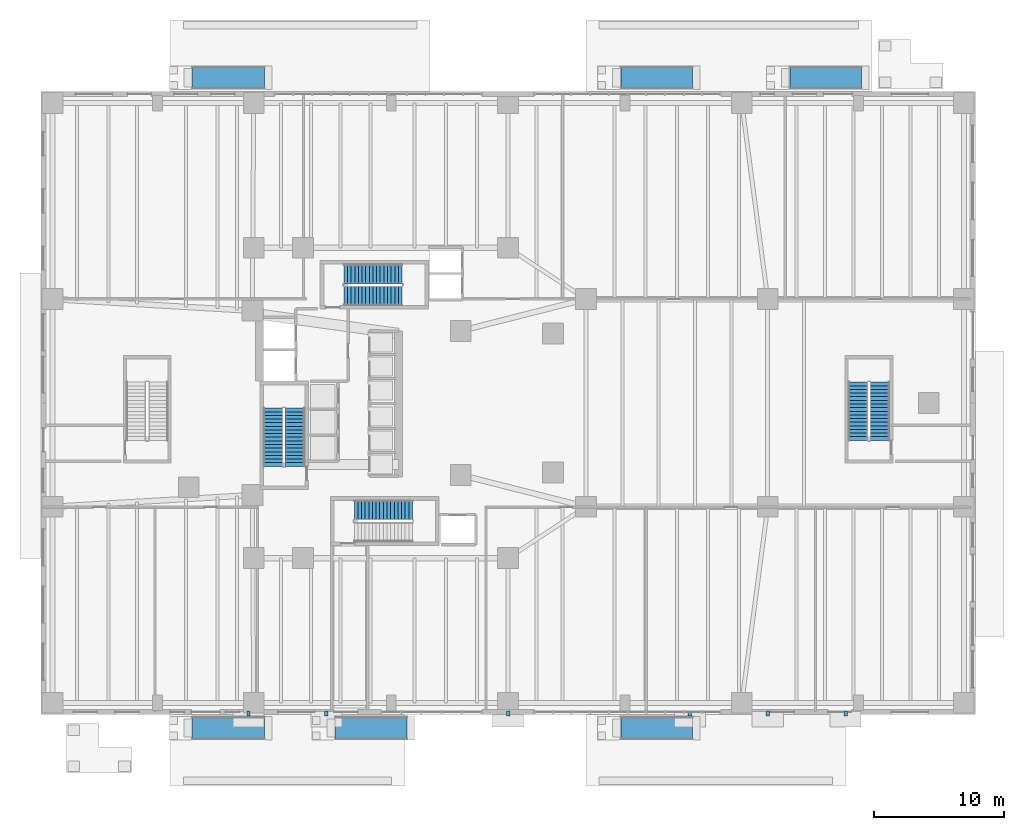
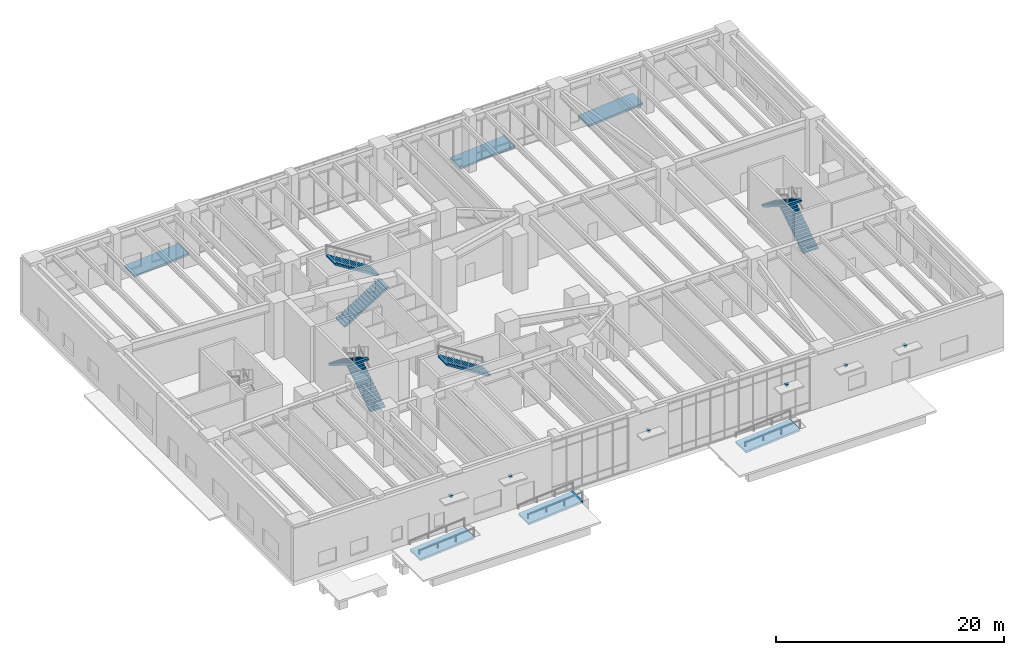
# One storey, part 23 of 28: 7 stair flights, 6 discrete accessories, 6 ramp flights, 10 elements without a shape of their own.
"""IFC4 building model written with IfcOpenShell, lengths in metres."""

from ifc_helpers import new_model, si_unit, direction, frame, origin, origin_2d, place, context, subcontext, project, spatial, polyline, rectangle, outline, extrude, material, layer, layer_set, type_object, element, aggregate, save


model = new_model("IFC4")

# Units and contexts
model_context = context("Model", 3, precision=1e-05, world=origin(), true_north=direction((0.0, 1.0)))
body_context = subcontext(model_context, "Body", "Model", "MODEL_VIEW")
ifc_project = project(units=[si_unit("LENGTHUNIT", "METRE"), si_unit("AREAUNIT", "SQUARE_METRE"), si_unit("VOLUMEUNIT", "CUBIC_METRE"), si_unit("PLANEANGLEUNIT", "RADIAN"), si_unit("MASSUNIT", "GRAM", prefix="KILO"), si_unit("THERMODYNAMICTEMPERATUREUNIT", "KELVIN"), si_unit("POWERUNIT", "WATT")], contexts=[model_context])

# Site, building, storey
site_placement = place(None, origin())
site = spatial("IfcSite", under=ifc_project, at=site_placement, CompositionType="ELEMENT")
building_placement = place(site_placement, origin())
building = spatial("IfcBuilding", under=site, at=building_placement, Name="Skarre Station Tower", CompositionType="ELEMENT")
storey_placement = place(building_placement, origin())
storey = spatial("IfcBuildingStorey", under=building, at=storey_placement, Name="L01", CompositionType="ELEMENT", Elevation=0.0)

# Stair, stair flights
ifc_material_1 = material(Name="Concrete C40/50", Category="concrete")
stair_type_1 = type_object("IfcStairType", Name="Reinforced Concrete Exit Stair ST-1", PredefinedType="HALF_TURN_STAIR", material=ifc_material_1)
stair_1_placement = place(storey_placement, origin())
stair_1 = element("IfcStair", 1, at=stair_1_placement, inside=storey, type_object=stair_type_1, Name="L01 Core Exit Stair ST-1", PredefinedType="HALF_TURN_STAIR")
stair_flight_type_1 = type_object("IfcStairFlightType", Name="Reinforced Concrete Stair Flight ST-1", PredefinedType="STRAIGHT", material=ifc_material_1)
stair_flight_1_placement = place(storey_placement, frame((19.590087890625, 19.1201171875, 0.0), z_axis=(0.0, 0.0, 1.0), x_axis=(0.0, 1.0, 0.0)))
stair_flight_1 = element("IfcStairFlight", 2, at=stair_flight_1_placement, type_object=stair_flight_type_1, Name="ST-1 flight 1", NumberOfRisers=17, NumberOfTreads=16, PredefinedType="STRAIGHT", RiserHeight=0.176470588, TreadLength=0.28, context=body_context, shape_type="SweptSolid", body=[
    extrude(outline(polyline([(0.0, 0.0), (0.0, 0.176513671875), (0.280029296875, 0.176513671875), (0.280029296875, 0.35302734375), (0.56005859375, 0.35302734375), (0.56005859375, 0.529296875), (0.840087890625, 0.529296875), (0.840087890625, 0.705810546875), (1.1201171875, 0.705810546875), (1.1201171875, 0.88232421875), (1.39990234375, 0.88232421875), (1.39990234375, 1.058837890625), (1.679931640625, 1.058837890625), (1.679931640625, 1.2353515625), (1.9599609375, 1.2353515625), (1.9599609375, 1.411865234375), (2.239990234375, 1.411865234375), (2.239990234375, 1.588134765625), (2.52001953125, 1.588134765625), (2.52001953125, 1.7646484375), (2.800048828125, 1.7646484375), (2.800048828125, 1.941162109375), (3.080078125, 1.941162109375), (3.080078125, 2.11767578125), (3.360107421875, 2.11767578125), (3.360107421875, 2.294189453125), (3.639892578125, 2.294189453125), (3.639892578125, 2.470703125), (3.919921875, 2.470703125), (3.919921875, 2.64697265625), (4.199951171875, 2.64697265625), (4.199951171875, 2.823486328125), (4.47998046875, 2.823486328125), (4.47998046875, 3.0), (4.47998046875, 2.646240234375), (0.28125, 0.0), (0.0, 0.0)])), frame((0.0, 0.760009765625, 0.0), z_axis=(0.0, -1.0, 0.0), x_axis=(1.0, 0.0, 0.0)), (0.0, 0.0, 1.0), 1.52001953125),
])
stair_flight_2_placement = place(storey_placement, frame((17.909912109375, 23.60009765625, 3.0), z_axis=(0.0, 0.0, 1.0), x_axis=(0.0, -1.0, 0.0)))
stair_flight_2 = element("IfcStairFlight", 3, at=stair_flight_2_placement, type_object=stair_flight_type_1, Name="ST-1 flight 2", NumberOfRisers=17, NumberOfTreads=16, PredefinedType="STRAIGHT", RiserHeight=0.176470588, TreadLength=0.28, context=body_context, shape_type="SweptSolid", body=[
    extrude(outline(polyline([(0.0, 0.0), (0.0, 0.176513671875), (0.280029296875, 0.176513671875), (0.280029296875, 0.35302734375), (0.56005859375, 0.35302734375), (0.56005859375, 0.529296875), (0.840087890625, 0.529296875), (0.840087890625, 0.705810546875), (1.1201171875, 0.705810546875), (1.1201171875, 0.88232421875), (1.39990234375, 0.88232421875), (1.39990234375, 1.058837890625), (1.679931640625, 1.058837890625), (1.679931640625, 1.2353515625), (1.9599609375, 1.2353515625), (1.9599609375, 1.411865234375), (2.239990234375, 1.411865234375), (2.239990234375, 1.588134765625), (2.52001953125, 1.588134765625), (2.52001953125, 1.7646484375), (2.800048828125, 1.7646484375), (2.800048828125, 1.941162109375), (3.080078125, 1.941162109375), (3.080078125, 2.11767578125), (3.360107421875, 2.11767578125), (3.360107421875, 2.294189453125), (3.639892578125, 2.294189453125), (3.639892578125, 2.470703125), (3.919921875, 2.470703125), (3.919921875, 2.64697265625), (4.199951171875, 2.64697265625), (4.199951171875, 2.823486328125), (4.47998046875, 2.823486328125), (4.47998046875, 3.0), (4.47998046875, 2.646240234375), (0.28125, 0.0), (0.0, 0.0)])), frame((0.0, 0.760009765625, 0.0), z_axis=(0.0, -1.0, 0.0), x_axis=(1.0, 0.0, 0.0)), (0.0, 0.0, 1.0), 1.52001953125),
])
aggregate(stair_1, [stair_flight_1, stair_flight_2])

# Stair, stair flight
stair_type_2 = type_object("IfcStairType", Name="Reinforced Concrete Exit Stair ST-2", PredefinedType="HALF_TURN_STAIR", material=ifc_material_1)
stair_2_placement = place(storey_placement, origin())
stair_2 = element("IfcStair", 4, at=stair_2_placement, inside=storey, type_object=stair_type_2, Name="L01 Core Exit Stair ST-2", PredefinedType="HALF_TURN_STAIR")
stair_flight_type_2 = type_object("IfcStairFlightType", Name="Reinforced Concrete Stair Flight ST-2", PredefinedType="STRAIGHT", material=ifc_material_1)
stair_flight_3_placement = place(storey_placement, frame((28.6298828125, 15.739990234375, 3.0), z_axis=(0.0, 0.0, 1.0), x_axis=(-1.0, 0.0, 0.0)))
stair_flight_3 = element("IfcStairFlight", 5, at=stair_flight_3_placement, type_object=stair_flight_type_2, Name="ST-2 flight 2", NumberOfRisers=17, NumberOfTreads=16, PredefinedType="STRAIGHT", RiserHeight=0.176470588, TreadLength=0.28, context=body_context, shape_type="SweptSolid", body=[
    extrude(outline(polyline([(0.0, 0.0), (0.0, 0.176513671875), (0.280029296875, 0.176513671875), (0.280029296875, 0.35302734375), (0.56005859375, 0.35302734375), (0.56005859375, 0.529296875), (0.840087890625, 0.529296875), (0.840087890625, 0.705810546875), (1.1201171875, 0.705810546875), (1.1201171875, 0.88232421875), (1.39990234375, 0.88232421875), (1.39990234375, 1.058837890625), (1.679931640625, 1.058837890625), (1.679931640625, 1.2353515625), (1.9599609375, 1.2353515625), (1.9599609375, 1.411865234375), (2.239990234375, 1.411865234375), (2.239990234375, 1.588134765625), (2.52001953125, 1.588134765625), (2.52001953125, 1.7646484375), (2.800048828125, 1.7646484375), (2.800048828125, 1.941162109375), (3.080078125, 1.941162109375), (3.080078125, 2.11767578125), (3.360107421875, 2.11767578125), (3.360107421875, 2.294189453125), (3.639892578125, 2.294189453125), (3.639892578125, 2.470703125), (3.919921875, 2.470703125), (3.919921875, 2.64697265625), (4.199951171875, 2.64697265625), (4.199951171875, 2.823486328125), (4.47998046875, 2.823486328125), (4.47998046875, 3.0), (4.47998046875, 2.646240234375), (0.28125, 0.0), (0.0, 0.0)])), frame((0.0, 0.760009765625, 0.0), z_axis=(0.0, -1.0, 0.0), x_axis=(1.0, 0.0, 0.0)), (0.0, 0.0, 1.0), 1.52001953125),
])
aggregate(stair_2, [stair_flight_3])

# Stair, stair flights
stair_type_3 = type_object("IfcStairType", Name="Reinforced Concrete Exit Stair ST-3", PredefinedType="HALF_TURN_STAIR", material=ifc_material_1)
stair_3_placement = place(storey_placement, origin())
stair_3 = element("IfcStair", 6, at=stair_3_placement, inside=storey, type_object=stair_type_3, Name="L01 Core Exit Stair ST-3", PredefinedType="HALF_TURN_STAIR")
stair_flight_type_3 = type_object("IfcStairFlightType", Name="Reinforced Concrete Stair Flight ST-3", PredefinedType="STRAIGHT", material=ifc_material_1)
stair_flight_4_placement = place(storey_placement, frame((23.35009765625, 32.260009765625, 0.0), z_axis=(0.0, 0.0, 1.0), x_axis=(1.0, 0.0, 0.0)))
stair_flight_4 = element("IfcStairFlight", 7, at=stair_flight_4_placement, type_object=stair_flight_type_3, Name="ST-3 flight 1", NumberOfRisers=17, NumberOfTreads=16, PredefinedType="STRAIGHT", RiserHeight=0.176470588, TreadLength=0.28, context=body_context, shape_type="SweptSolid", body=[
    extrude(outline(polyline([(0.0, 0.0), (0.0, 0.176513671875), (0.280029296875, 0.176513671875), (0.280029296875, 0.35302734375), (0.56005859375, 0.35302734375), (0.56005859375, 0.529296875), (0.840087890625, 0.529296875), (0.840087890625, 0.705810546875), (1.1201171875, 0.705810546875), (1.1201171875, 0.88232421875), (1.39990234375, 0.88232421875), (1.39990234375, 1.058837890625), (1.679931640625, 1.058837890625), (1.679931640625, 1.2353515625), (1.9599609375, 1.2353515625), (1.9599609375, 1.411865234375), (2.239990234375, 1.411865234375), (2.239990234375, 1.588134765625), (2.52001953125, 1.588134765625), (2.52001953125, 1.7646484375), (2.800048828125, 1.7646484375), (2.800048828125, 1.941162109375), (3.080078125, 1.941162109375), (3.080078125, 2.11767578125), (3.360107421875, 2.11767578125), (3.360107421875, 2.294189453125), (3.639892578125, 2.294189453125), (3.639892578125, 2.470703125), (3.919921875, 2.470703125), (3.919921875, 2.64697265625), (4.199951171875, 2.64697265625), (4.199951171875, 2.823486328125), (4.47998046875, 2.823486328125), (4.47998046875, 3.0), (4.47998046875, 2.646240234375), (0.28125, 0.0), (0.0, 0.0)])), frame((0.0, 0.760009765625, 0.0), z_axis=(0.0, -1.0, 0.0), x_axis=(1.0, 0.0, 0.0)), (0.0, 0.0, 1.0), 1.52001953125),
])
stair_flight_5_placement = place(storey_placement, frame((27.830078125, 33.93994140625, 3.0), z_axis=(0.0, 0.0, 1.0), x_axis=(-1.0, 0.0, 0.0)))
stair_flight_5 = element("IfcStairFlight", 8, at=stair_flight_5_placement, type_object=stair_flight_type_3, Name="ST-3 flight 2", NumberOfRisers=17, NumberOfTreads=16, PredefinedType="STRAIGHT", RiserHeight=0.176470588, TreadLength=0.28, context=body_context, shape_type="SweptSolid", body=[
    extrude(outline(polyline([(0.0, 0.0), (0.0, 0.176513671875), (0.280029296875, 0.176513671875), (0.280029296875, 0.35302734375), (0.56005859375, 0.35302734375), (0.56005859375, 0.529296875), (0.840087890625, 0.529296875), (0.840087890625, 0.705810546875), (1.1201171875, 0.705810546875), (1.1201171875, 0.88232421875), (1.39990234375, 0.88232421875), (1.39990234375, 1.058837890625), (1.679931640625, 1.058837890625), (1.679931640625, 1.2353515625), (1.9599609375, 1.2353515625), (1.9599609375, 1.411865234375), (2.239990234375, 1.411865234375), (2.239990234375, 1.588134765625), (2.52001953125, 1.588134765625), (2.52001953125, 1.7646484375), (2.800048828125, 1.7646484375), (2.800048828125, 1.941162109375), (3.080078125, 1.941162109375), (3.080078125, 2.11767578125), (3.360107421875, 2.11767578125), (3.360107421875, 2.294189453125), (3.639892578125, 2.294189453125), (3.639892578125, 2.470703125), (3.919921875, 2.470703125), (3.919921875, 2.64697265625), (4.199951171875, 2.64697265625), (4.199951171875, 2.823486328125), (4.47998046875, 2.823486328125), (4.47998046875, 3.0), (4.47998046875, 2.646240234375), (0.28125, 0.0), (0.0, 0.0)])), frame((0.0, 0.760009765625, 0.0), z_axis=(0.0, -1.0, 0.0), x_axis=(1.0, 0.0, 0.0)), (0.0, 0.0, 1.0), 1.52001953125),
])
aggregate(stair_3, [stair_flight_4, stair_flight_5])

stair_type_4 = type_object("IfcStairType", Name="Reinforced Concrete Exit Stair ST-5", PredefinedType="HALF_TURN_STAIR", material=ifc_material_1)
stair_4_placement = place(storey_placement, origin())
stair_4 = element("IfcStair", 9, at=stair_4_placement, inside=storey, type_object=stair_type_4, Name="L01 Podium Concourse Exit Stair ST-5", PredefinedType="HALF_TURN_STAIR")
stair_flight_type_4 = type_object("IfcStairFlightType", Name="Reinforced Concrete Stair Flight ST-5", PredefinedType="STRAIGHT", material=ifc_material_1)
stair_flight_6_placement = place(storey_placement, frame((64.639892578125, 21.1201171875, 0.0), z_axis=(0.0, 0.0, 1.0), x_axis=(0.0, 1.0, 0.0)))
stair_flight_6 = element("IfcStairFlight", 10, at=stair_flight_6_placement, type_object=stair_flight_type_4, Name="ST-5 flight 1", NumberOfRisers=17, NumberOfTreads=16, PredefinedType="STRAIGHT", RiserHeight=0.176470588, TreadLength=0.28, context=body_context, shape_type="SweptSolid", body=[
    extrude(outline(polyline([(0.0, 0.0), (0.0, 0.176513671875), (0.280029296875, 0.176513671875), (0.280029296875, 0.35302734375), (0.56005859375, 0.35302734375), (0.56005859375, 0.529296875), (0.840087890625, 0.529296875), (0.840087890625, 0.705810546875), (1.1201171875, 0.705810546875), (1.1201171875, 0.88232421875), (1.39990234375, 0.88232421875), (1.39990234375, 1.058837890625), (1.679931640625, 1.058837890625), (1.679931640625, 1.2353515625), (1.9599609375, 1.2353515625), (1.9599609375, 1.411865234375), (2.239990234375, 1.411865234375), (2.239990234375, 1.588134765625), (2.52001953125, 1.588134765625), (2.52001953125, 1.7646484375), (2.800048828125, 1.7646484375), (2.800048828125, 1.941162109375), (3.080078125, 1.941162109375), (3.080078125, 2.11767578125), (3.360107421875, 2.11767578125), (3.360107421875, 2.294189453125), (3.639892578125, 2.294189453125), (3.639892578125, 2.470703125), (3.919921875, 2.470703125), (3.919921875, 2.64697265625), (4.199951171875, 2.64697265625), (4.199951171875, 2.823486328125), (4.47998046875, 2.823486328125), (4.47998046875, 3.0), (4.47998046875, 2.646240234375), (0.28125, 0.0), (0.0, 0.0)])), frame((0.0, 0.760009765625, 0.0), z_axis=(0.0, -1.0, 0.0), x_axis=(1.0, 0.0, 0.0)), (0.0, 0.0, 1.0), 1.52001953125),
])
stair_flight_7_placement = place(storey_placement, frame((62.9599609375, 25.60009765625, 3.0), z_axis=(0.0, 0.0, 1.0), x_axis=(0.0, -1.0, 0.0)))
stair_flight_7 = element("IfcStairFlight", 11, at=stair_flight_7_placement, type_object=stair_flight_type_4, Name="ST-5 flight 2", NumberOfRisers=17, NumberOfTreads=16, PredefinedType="STRAIGHT", RiserHeight=0.176470588, TreadLength=0.28, context=body_context, shape_type="SweptSolid", body=[
    extrude(outline(polyline([(0.0, 0.0), (0.0, 0.176513671875), (0.280029296875, 0.176513671875), (0.280029296875, 0.35302734375), (0.56005859375, 0.35302734375), (0.56005859375, 0.529296875), (0.840087890625, 0.529296875), (0.840087890625, 0.705810546875), (1.1201171875, 0.705810546875), (1.1201171875, 0.88232421875), (1.39990234375, 0.88232421875), (1.39990234375, 1.058837890625), (1.679931640625, 1.058837890625), (1.679931640625, 1.2353515625), (1.9599609375, 1.2353515625), (1.9599609375, 1.411865234375), (2.239990234375, 1.411865234375), (2.239990234375, 1.588134765625), (2.52001953125, 1.588134765625), (2.52001953125, 1.7646484375), (2.800048828125, 1.7646484375), (2.800048828125, 1.941162109375), (3.080078125, 1.941162109375), (3.080078125, 2.11767578125), (3.360107421875, 2.11767578125), (3.360107421875, 2.294189453125), (3.639892578125, 2.294189453125), (3.639892578125, 2.470703125), (3.919921875, 2.470703125), (3.919921875, 2.64697265625), (4.199951171875, 2.64697265625), (4.199951171875, 2.823486328125), (4.47998046875, 2.823486328125), (4.47998046875, 3.0), (4.47998046875, 2.646240234375), (0.28125, 0.0), (0.0, 0.0)])), frame((0.0, 0.760009765625, 0.0), z_axis=(0.0, -1.0, 0.0), x_axis=(1.0, 0.0, 0.0)), (0.0, 0.0, 1.0), 1.52001953125),
])
aggregate(stair_4, [stair_flight_6, stair_flight_7])

# Ramp, ramp flight
ramp_type = type_object("IfcRampType", Name="Accessible Concourse Pedestrian Ramp", PredefinedType="STRAIGHT_RUN_RAMP", material=ifc_material_1)
ramp_1_placement = place(storey_placement, origin())
ramp_1 = element("IfcRamp", 12, at=ramp_1_placement, inside=storey, type_object=ramp_type, Name="South West Concourse Accessible Ramp", PredefinedType="STRAIGHT_RUN_RAMP")
ifc_layer = layer(ifc_material_1, 0.219970703125, Name="Concrete C40/50")
ifc_layer_set = layer_set([ifc_layer], Name="Concrete C40/50")
ramp_flight_type = type_object("IfcRampFlightType", Name="Sloped Reinforced Concrete Ramp Flight 220", PredefinedType="STRAIGHT", material=ifc_layer_set)
ramp_flight_1_placement = place(storey_placement, frame((11.699951171875, -1.949951171875, -0.4599609375), z_axis=(-0.083038184601, 0.0, 0.996546366156), x_axis=(0.996546366156, 0.0, 0.083038184601)))
ramp_flight_1 = element("IfcRampFlight", 13, at=ramp_flight_1_placement, type_object=ramp_flight_type, Name="South West Concourse Accessible Ramp Sloped Flight", PredefinedType="STRAIGHT", context=body_context, shape_type="SweptSolid", body=[
    extrude(outline(polyline([(0.0, 0.0), (5.539149726213163, 0.0), (5.539149726213163, 1.800048828125), (0.0, 1.800048828125), (0.0, 0.0)])), origin(), (0.0, 0.0, -1.0), 0.219970703125),
])
aggregate(ramp_1, [ramp_flight_1])

ramp_2_placement = place(storey_placement, origin())
ramp_2 = element("IfcRamp", 14, at=ramp_2_placement, inside=storey, type_object=ramp_type, Name="South Plaza Main Accessible Ramp", PredefinedType="STRAIGHT_RUN_RAMP")
ramp_flight_2_placement = place(storey_placement, frame((22.699951171875, -1.949951171875, -0.4599609375), z_axis=(-0.083038184601, 0.0, 0.996546366156), x_axis=(0.996546366156, 0.0, 0.083038184601)))
ramp_flight_2 = element("IfcRampFlight", 15, at=ramp_flight_2_placement, type_object=ramp_flight_type, Name="South Plaza Main Accessible Ramp Sloped Flight", PredefinedType="STRAIGHT", context=body_context, shape_type="SweptSolid", body=[
    extrude(outline(polyline([(0.0, 0.0), (5.539149726213163, 0.0), (5.539149726213163, 1.800048828125), (0.0, 1.800048828125), (0.0, 0.0)])), origin(), (0.0, 0.0, -1.0), 0.219970703125),
])
aggregate(ramp_2, [ramp_flight_2])

ramp_3_placement = place(storey_placement, origin())
ramp_3 = element("IfcRamp", 16, at=ramp_3_placement, inside=storey, type_object=ramp_type, Name="South East Station Accessible Ramp", PredefinedType="STRAIGHT_RUN_RAMP")
ramp_flight_3_placement = place(storey_placement, frame((44.699951171875, -1.949951171875, -0.4599609375), z_axis=(-0.083038184601, 0.0, 0.996546366156), x_axis=(0.996546366156, 0.0, 0.083038184601)))
ramp_flight_3 = element("IfcRampFlight", 17, at=ramp_flight_3_placement, type_object=ramp_flight_type, Name="South East Station Accessible Ramp Sloped Flight", PredefinedType="STRAIGHT", context=body_context, shape_type="SweptSolid", body=[
    extrude(outline(polyline([(0.0, 0.0), (5.539149726213163, 0.0), (5.539149726213163, 1.800048828125), (0.0, 1.800048828125), (0.0, 0.0)])), origin(), (0.0, 0.0, -1.0), 0.219970703125),
])
aggregate(ramp_3, [ramp_flight_3])

ramp_4_placement = place(storey_placement, origin())
ramp_4 = element("IfcRamp", 18, at=ramp_4_placement, inside=storey, type_object=ramp_type, Name="North Forecourt Accessible Ramp", PredefinedType="STRAIGHT_RUN_RAMP")
ramp_flight_4_placement = place(storey_placement, frame((11.699951171875, 48.14990234375, -0.4599609375), z_axis=(-0.083038184601, 0.0, 0.996546366156), x_axis=(0.996546366156, 0.0, 0.083038184601)))
ramp_flight_4 = element("IfcRampFlight", 19, at=ramp_flight_4_placement, type_object=ramp_flight_type, Name="North Forecourt Accessible Ramp Sloped Flight", PredefinedType="STRAIGHT", context=body_context, shape_type="SweptSolid", body=[
    extrude(outline(polyline([(0.0, 0.0), (5.539149726213163, 0.0), (5.539149726213163, 1.800048828125), (0.0, 1.800048828125), (0.0, 0.0)])), origin(), (0.0, 0.0, -1.0), 0.219970703125),
])
aggregate(ramp_4, [ramp_flight_4])

ramp_5_placement = place(storey_placement, origin())
ramp_5 = element("IfcRamp", 20, at=ramp_5_placement, inside=storey, type_object=ramp_type, Name="North Hospitality Drop-Off Accessible Ramp", PredefinedType="STRAIGHT_RUN_RAMP")
ramp_flight_5_placement = place(storey_placement, frame((44.699951171875, 48.14990234375, -0.4599609375), z_axis=(-0.083038184601, 0.0, 0.996546366156), x_axis=(0.996546366156, 0.0, 0.083038184601)))
ramp_flight_5 = element("IfcRampFlight", 21, at=ramp_flight_5_placement, type_object=ramp_flight_type, Name="North Hospitality Drop-Off Accessible Ramp Sloped Flight", PredefinedType="STRAIGHT", context=body_context, shape_type="SweptSolid", body=[
    extrude(outline(polyline([(0.0, 0.0), (5.539149726213163, 0.0), (5.539149726213163, 1.800048828125), (0.0, 1.800048828125), (0.0, 0.0)])), origin(), (0.0, 0.0, -1.0), 0.219970703125),
])
aggregate(ramp_5, [ramp_flight_5])

ramp_6_placement = place(storey_placement, origin())
ramp_6 = element("IfcRamp", 22, at=ramp_6_placement, inside=storey, type_object=ramp_type, Name="North East Arcade Accessible Ramp", PredefinedType="STRAIGHT_RUN_RAMP")
ramp_flight_6_placement = place(storey_placement, frame((57.699951171875, 48.14990234375, -0.4599609375), z_axis=(-0.083038184601, 0.0, 0.996546366156), x_axis=(0.996546366156, 0.0, 0.083038184601)))
ramp_flight_6 = element("IfcRampFlight", 23, at=ramp_flight_6_placement, type_object=ramp_flight_type, Name="North East Arcade Accessible Ramp Sloped Flight", PredefinedType="STRAIGHT", context=body_context, shape_type="SweptSolid", body=[
    extrude(outline(polyline([(0.0, 0.0), (5.539149726213163, 0.0), (5.539149726213163, 1.800048828125), (0.0, 1.800048828125), (0.0, 0.0)])), origin(), (0.0, 0.0, -1.0), 0.219970703125),
])
aggregate(ramp_6, [ramp_flight_6])

# Discrete accessories
ifc_material_2 = material(Name="Stainless Steel Grade 316L", Category="steel")
discrete_accessory_type = type_object("IfcDiscreteAccessoryType", Name="Facade Bracket Anchor Assembly", PredefinedType="BRACKET", material=ifc_material_2)
for number, where, z_axis, x_axis, name in (
    (24, (16.0, 0.080078125, 3.490234375), (0.0, 0.0, 1.0), (1.0, 0.0, 0.0), "L01 Canopy Support Bracket 1"),
    (25, (22.0, 0.080078125, 3.490234375), (0.0, 0.0, 1.0), (1.0, 0.0, 0.0), "L01 Canopy Support Bracket 2"),
    (26, (36.0, 0.080078125, 3.490234375), (0.0, 0.0, 1.0), (1.0, 0.0, 0.0), "L01 Canopy Support Bracket 3"),
    (27, (50.0, 0.080078125, 3.490234375), (0.0, 0.0, 1.0), (1.0, 0.0, 0.0), "L01 Canopy Support Bracket 4"),
    (28, (56.0, 0.080078125, 3.490234375), (0.0, 0.0, 1.0), (1.0, 0.0, 0.0), "L01 Canopy Support Bracket 5"),
    (29, (62.0, 0.080078125, 3.490234375), (0.0, 0.0, 1.0), (1.0, 0.0, 0.0), "L01 Canopy Support Bracket 6"),
):
    element("IfcDiscreteAccessory", number, at=place(storey_placement, frame(where, z_axis=z_axis, x_axis=x_axis)), inside=storey, type_object=discrete_accessory_type, Name=name, PredefinedType="BRACKET", context=body_context, shape_type="SweptSolid", body=[
        extrude(rectangle(XDim=0.260009765625, YDim=0.360107421875, at=origin_2d()), origin(), (0.0, 0.0, 1.0), 0.219970703125),
    ])

save(model, "model.ifc")
